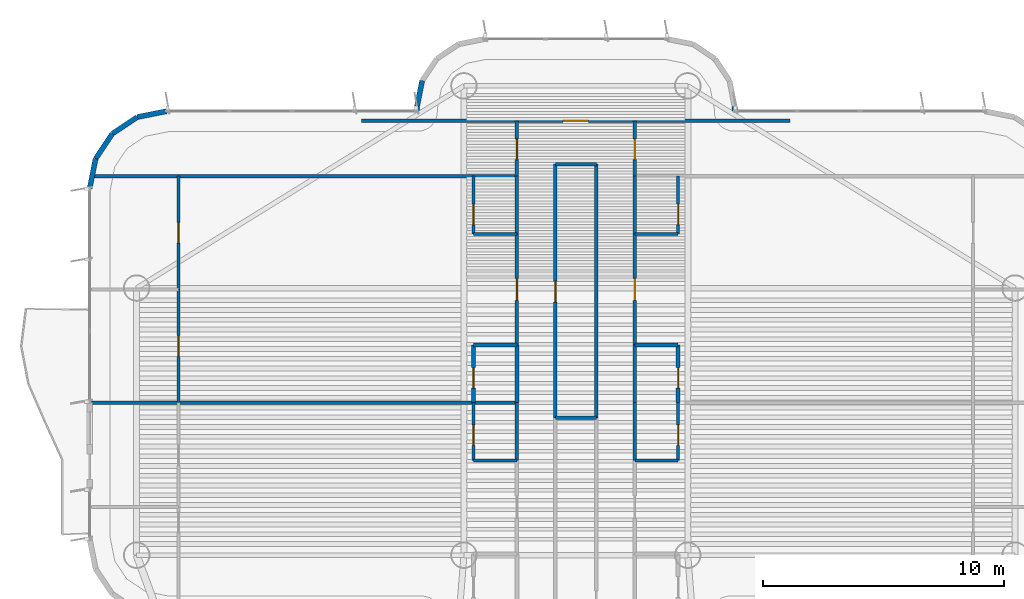
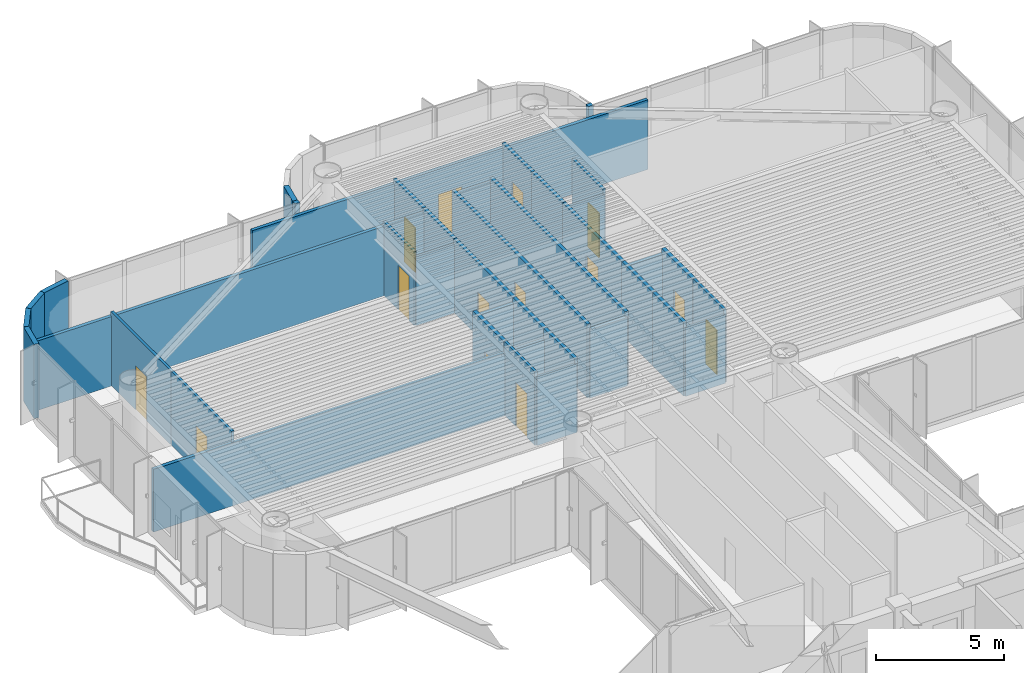
# One storey, part 11 of 15: 38 walls, 14 doors, 14 openings.
"""IFC4 building model written with IfcOpenShell, lengths in metres."""

from ifc_helpers import new_model, si_unit, direction, frame, frame_2d, origin, origin_2d, place, context, subcontext, project, spatial, rectangle, extrude, source, transform, mapped, material, layer, layer_set, type_object, element, fill, save


model = new_model("IFC4")

# Units and contexts
model_context = context("Model", 3, precision=1e-05, world=origin(), true_north=direction((0.0, 1.0)))
body_context = subcontext(model_context, "Body", "Model", "MODEL_VIEW")
ifc_project = project(units=[si_unit("LENGTHUNIT", "METRE"), si_unit("AREAUNIT", "SQUARE_METRE"), si_unit("VOLUMEUNIT", "CUBIC_METRE"), si_unit("PLANEANGLEUNIT", "RADIAN"), si_unit("MASSUNIT", "GRAM", prefix="KILO")], contexts=[model_context])

# Site, building, storey
site_placement = place(None, origin())
site = spatial("IfcSite", under=ifc_project, at=site_placement, CompositionType="ELEMENT")
building_placement = place(site_placement, origin())
building = spatial("IfcBuilding", under=site, at=building_placement, Name="Brelvock Crest Care Tower", CompositionType="ELEMENT")
storey_placement = place(building_placement, frame((0.0, 0.0, 156.419921875)))
storey = spatial("IfcBuildingStorey", under=building, at=storey_placement, Name="L39", CompositionType="ELEMENT", Elevation=156.419921875)

# Walls
ifc_material_1 = material(Name="Precast concrete N40 (40 MPa)", Category="concrete")
ifc_layer_1 = layer(ifc_material_1, 0.215087890625, Name="WL-EX2")
ifc_layer_set_1 = layer_set([ifc_layer_1], Name="Precast concrete N40 (40 MPa)")
wall_type_1 = type_object("IfcWallType", Name="WL-EX2", PredefinedType="SOLIDWALL", material=ifc_layer_set_1)
for number, where, z_axis, x_axis, name in (
    (1, (15.800048828125, 50.199951171875, 0.0), (0.0, 0.0, 1.0), (0.195138390419, 0.980775717779, 0.0), "L39 Rounded Corner Wall 18"),
    (2, (16.043701171875, 51.424560546875, 0.0), (0.0, 0.0, 1.0), (0.555557312883, 0.831478245117, 0.0), "L39 Rounded Corner Wall 19"),
    (3, (16.7373046875, 52.462646484375, 0.0), (0.0, 0.0, 1.0), (0.831387912822, 0.555692485475, 0.0), "L39 Rounded Corner Wall 20"),
    (4, (17.775390625, 53.156494140625, 0.0), (0.0, 0.0, 1.0), (0.980813122964, 0.194950295773, 0.0), "L39 Rounded Corner Wall 21"),
):
    element("IfcWall", number, at=place(storey_placement, frame(where, z_axis=z_axis, x_axis=x_axis)), inside=storey, type_object=wall_type_1, Name=name, PredefinedType="SOLIDWALL", context=body_context, shape_type="SweptSolid", body=[
        extrude(rectangle(XDim=1.24853515625, YDim=0.215087890625, at=frame_2d((0.624267578125, 0.0))), origin(), (0.0, 0.0, 1.0), 3.530029296875),
    ])
wall_1_placement = place(storey_placement, frame((29.39990234375, 53.39990234375, 0.0), z_axis=(0.0, 0.0, 1.0), x_axis=(0.0, 1.0, 0.0)))
element("IfcWall", 5, at=wall_1_placement, inside=storey, type_object=wall_type_1, Name="L39 Rounded Corner Wall 23", PredefinedType="SOLIDWALL", context=body_context, shape_type="SweptSolid", body=[
    extrude(rectangle(XDim=0.2001953125, YDim=0.215087890625, at=frame_2d((0.10009765625, 0.0))), origin(), (0.0, 0.0, 1.0), 3.530029296875),
])
wall_2_placement = place(storey_placement, frame((29.39990234375, 53.60009765625, 0.0), z_axis=(0.0, 0.0, 1.0), x_axis=(0.195127417394, 0.980777900945, 0.0)))
element("IfcWall", 6, at=wall_2_placement, inside=storey, type_object=wall_type_1, Name="L39 Rounded Corner Wall 24", PredefinedType="SOLIDWALL", context=body_context, shape_type="SweptSolid", body=[
    extrude(rectangle(XDim=1.09228515625, YDim=0.215087890625, at=frame_2d((0.546142578125, 0.0))), origin(), (0.0, 0.0, 1.0), 3.530029296875),
])
wall_3_placement = place(storey_placement, frame((42.60009765625, 53.60009765625, 0.0), z_axis=(0.0, 0.0, 1.0), x_axis=(0.0, -1.0, 0.0)))
element("IfcWall", 7, at=wall_3_placement, inside=storey, type_object=wall_type_1, Name="L39 Rounded Corner Wall 33", PredefinedType="SOLIDWALL", context=body_context, shape_type="SweptSolid", body=[
    extrude(rectangle(XDim=0.2001953125, YDim=0.215087890625, at=frame_2d((0.10009765625, 0.0))), origin(), (0.0, 0.0, 1.0), 3.530029296875),
])
ifc_material_2 = material(Name="Masonry Blockwork Acoustic Partition", Category="masonry")
ifc_layer_2 = layer(ifc_material_2, 0.14990234375, Name="WL-INT1")
ifc_layer_set_2 = layer_set([ifc_layer_2], Name="Masonry Blockwork Acoustic Partition")
wall_type_2 = type_object("IfcWallType", Name="WL-INT1", PredefinedType="PARTITIONING", material=ifc_layer_set_2)
wall_4_placement = place(storey_placement, frame((35.14990234375, 40.659912109375, 0.0), z_axis=(0.0, 0.0, 1.0), x_axis=(1.0, 0.0, 0.0)))
element("IfcWall", 8, at=wall_4_placement, inside=storey, type_object=wall_type_2, Name="L39 Interior Wall WL-BX-L39-ISKT-S", PredefinedType="PARTITIONING", context=body_context, shape_type="SweptSolid", body=[
    extrude(rectangle(XDim=1.7001953125, YDim=0.14990234375, at=frame_2d((0.85009765625, 0.0))), origin(), (0.0, 0.0, 1.0), 3.259033203125),
])
wall_5_placement = place(storey_placement, frame((15.8798828125, 41.2880859375, 0.0), z_axis=(0.0, 0.0, 1.0), x_axis=(1.0, 0.0, 0.0)))
element("IfcWall", 9, at=wall_5_placement, inside=storey, type_object=wall_type_2, Name="L39 Interior Wall WL-BX-L39-FL-WF1-N", PredefinedType="PARTITIONING", context=body_context, shape_type="SweptSolid", body=[
    extrude(rectangle(XDim=17.670166015625, YDim=0.14990234375, at=frame_2d((8.8349609375, 0.0))), origin(), (0.0, 0.0, 1.0), 2.982177734375),
])
wall_6_placement = place(storey_placement, frame((15.98095703125, 50.699951171875, 0.0), z_axis=(0.0, 0.0, 1.0), x_axis=(1.0, 0.0, 0.0)))
element("IfcWall", 10, at=wall_6_placement, inside=storey, type_object=wall_type_2, Name="L39 Interior Wall WL-BX-L39-FL-WF2-N", PredefinedType="PARTITIONING", context=body_context, shape_type="SweptSolid", body=[
    extrude(rectangle(XDim=17.569091796875, YDim=0.14990234375, at=frame_2d((8.78466796875, 0.0))), origin(), (0.0, 0.0, 1.0), 3.30810546875),
])
wall_7_placement = place(storey_placement, frame((35.14990234375, 51.199951171875, 0.0), z_axis=(0.0, 0.0, 1.0), x_axis=(1.0, 0.0, 0.0)))
element("IfcWall", 11, at=wall_7_placement, inside=storey, type_object=wall_type_2, Name="L39 Interior Wall WL-BX-L39-ISKT-N", PredefinedType="PARTITIONING", context=body_context, shape_type="SweptSolid", body=[
    extrude(rectangle(XDim=1.7001953125, YDim=0.14990234375, at=frame_2d((0.85009765625, 0.0))), origin(), (0.0, 0.0, 1.0), 3.30810546875),
])

# Wall, opening, door
wall_8_placement = place(storey_placement, frame((27.10009765625, 53.0, 0.0), z_axis=(0.0, 0.0, 1.0), x_axis=(1.0, 0.0, 0.0)))
wall_8 = element("IfcWall", 12, at=wall_8_placement, inside=storey, type_object=wall_type_2, Name="L39 Interior Wall WL-RM-L39-NHUB", PredefinedType="PARTITIONING", context=body_context, shape_type="SweptSolid", body=[
    extrude(rectangle(XDim=17.7998046875, YDim=0.14990234375, at=frame_2d((8.89990234375, 0.0))), origin(), (0.0, 0.0, 1.0), 3.30810546875),
])
opening_1_placement = place(wall_8_placement, frame((8.375, 0.0, 0.0)))
opening_1 = element("IfcOpeningElement", 13, at=opening_1_placement, cuts=wall_8, Name="Opening CLD-1", PredefinedType="OPENING", context=body_context, shape_type="SweptSolid", body=[
    extrude(rectangle(XDim=1.050048828125, YDim=2.10009765625, at=origin_2d()), frame((0.52490234375, 0.0849609375, 1.050048828125), z_axis=(0.0, -1.0, 0.0), x_axis=(1.0, 0.0, 0.0)), (0.0, 0.0, 1.0), 0.169921875),
])
ifc_material_3 = material(Name="Engineered Hardwood Timber", Category="wood")
door_type_1 = type_object("IfcDoorType", Name="DR-CLN1", OperationType="NOTDEFINED", PredefinedType="DOOR", material=ifc_material_3)
shared_shape_1 = source(origin(), body_context, "Body", "SweptSolid", [
    extrude(rectangle(XDim=1.050048828125, YDim=2.10009765625, at=origin_2d()), frame((0.52490234375, 0.02490234375, 1.050048828125), z_axis=(0.0, -1.0, 0.0), x_axis=(1.0, 0.0, 0.0)), (0.0, 0.0, 1.0), 0.050048828125),
])
door_1_placement = place(opening_1_placement, origin())
door_1 = element("IfcDoor", 14, at=door_1_placement, inside=storey, type_object=door_type_1, Name="L39 North Crest Conservatory Lounge Door NHUB", OperationType="SINGLE_SWING_LEFT", OverallHeight=2.10009765625, OverallWidth=1.050048828125, PredefinedType="DOOR", context=body_context, shape_type="MappedRepresentation", body=[
    mapped(shared_shape_1, transform((0.0, 0.0, 0.0), x_axis=(1.0, 0.0, 0.0), y_axis=(0.0, 1.0, 0.0), z_axis=(0.0, 0.0, 1.0), scale=1.0)),
])
fill(opening_1, door_1)

# Wall
wall_9_placement = place(storey_placement, frame((33.550048828125, 38.887939453125, 0.0), z_axis=(0.0, 0.0, 1.0), x_axis=(0.0, 1.0, 0.0)))
element("IfcWall", 15, at=wall_9_placement, inside=storey, type_object=wall_type_2, Name="L39 Interior Wall WL-UCK-L39-WF1", PredefinedType="PARTITIONING", context=body_context, shape_type="SweptSolid", body=[
    extrude(rectangle(XDim=2.400146484375, YDim=0.14990234375, at=frame_2d((1.2001953125, 0.0))), origin(), (0.0, 0.0, 1.0), 3.5),
])

# Wall, opening, door
wall_10_placement = place(storey_placement, frame((33.550048828125, 43.68798828125, 0.0), z_axis=(0.0, 0.0, 1.0), x_axis=(0.0, 1.0, 0.0)))
wall_10 = element("IfcWall", 16, at=wall_10_placement, inside=storey, type_object=wall_type_2, Name="L39 Interior Wall WL-UENT-L39-WF2", PredefinedType="PARTITIONING", context=body_context, shape_type="SweptSolid", body=[
    extrude(rectangle(XDim=4.612060546875, YDim=0.14990234375, at=frame_2d((2.30615234375, 0.0))), origin(), (0.0, 0.0, 1.0), 3.5),
])
opening_2_placement = place(wall_10_placement, frame((1.845947265625, 0.0, 0.0)))
opening_2 = element("IfcOpeningElement", 17, at=opening_2_placement, cuts=wall_10, Name="Opening AD-1", PredefinedType="OPENING", context=body_context, shape_type="SweptSolid", body=[
    extrude(rectangle(XDim=0.919921875, YDim=2.10009765625, at=origin_2d()), frame((0.4599609375, 0.0849609375, 1.050048828125), z_axis=(0.0, -1.0, 0.0), x_axis=(1.0, 0.0, 0.0)), (0.0, 0.0, 1.0), 0.169921875),
])
door_type_2 = type_object("IfcDoorType", Name="DR-APT1", OperationType="NOTDEFINED", PredefinedType="DOOR", material=ifc_material_3)
shared_shape_2 = source(origin(), body_context, "Body", "SweptSolid", [
    extrude(rectangle(XDim=0.919921875, YDim=2.10009765625, at=origin_2d()), frame((0.4599609375, 0.02490234375, 1.050048828125), z_axis=(0.0, -1.0, 0.0), x_axis=(1.0, 0.0, 0.0)), (0.0, 0.0, 1.0), 0.050048828125),
])
door_2_placement = place(opening_2_placement, origin())
door_2 = element("IfcDoor", 18, at=door_2_placement, inside=storey, type_object=door_type_2, Name="L39 Apartment Entrance WF2", OperationType="SINGLE_SWING_LEFT", OverallHeight=2.10009765625, OverallWidth=0.919921875, PredefinedType="DOOR", context=body_context, shape_type="MappedRepresentation", body=[
    mapped(shared_shape_2, transform((0.0, 0.0, 0.0), x_axis=(1.0, 0.0, 0.0), y_axis=(0.0, 1.0, 0.0), z_axis=(0.0, 0.0, 1.0), scale=1.0)),
])
fill(opening_2, door_2)

# Wall
wall_11_placement = place(storey_placement, frame((33.550048828125, 48.300048828125, 0.0), z_axis=(0.0, 0.0, 1.0), x_axis=(0.0, 1.0, 0.0)))
element("IfcWall", 19, at=wall_11_placement, inside=storey, type_object=wall_type_2, Name="L39 Interior Wall WL-UCK-L39-WF2", PredefinedType="PARTITIONING", context=body_context, shape_type="SweptSolid", body=[
    extrude(rectangle(XDim=2.39990234375, YDim=0.14990234375, at=frame_2d((1.199951171875, 0.0))), origin(), (0.0, 0.0, 1.0), 3.5),
])

# Wall, opening, door
wall_12_placement = place(storey_placement, frame((33.550048828125, 50.699951171875, 0.0), z_axis=(0.0, 0.0, 1.0), x_axis=(0.0, 1.0, 0.0)))
wall_12 = element("IfcWall", 20, at=wall_12_placement, inside=storey, type_object=wall_type_2, Name="L39 Interior Wall WL-RM-L39-NALW", PredefinedType="PARTITIONING", context=body_context, shape_type="SweptSolid", body=[
    extrude(rectangle(XDim=2.300048828125, YDim=0.14990234375, at=frame_2d((1.14990234375, 0.0))), origin(), (0.0, 0.0, 1.0), 3.5),
])
opening_3_placement = place(wall_12_placement, frame((0.68994140625, 0.0, 0.0)))
opening_3 = element("IfcOpeningElement", 21, at=opening_3_placement, cuts=wall_12, Name="Opening ID-1", PredefinedType="OPENING", context=body_context, shape_type="SweptSolid", body=[
    extrude(rectangle(XDim=0.860107421875, YDim=2.10009765625, at=origin_2d()), frame((0.43017578125, 0.0849609375, 1.050048828125), z_axis=(0.0, -1.0, 0.0), x_axis=(1.0, 0.0, 0.0)), (0.0, 0.0, 1.0), 0.169921875),
])
door_type_3 = type_object("IfcDoorType", Name="DR-INT1", OperationType="NOTDEFINED", PredefinedType="DOOR", material=ifc_material_3)
shared_shape_3 = source(origin(), body_context, "Body", "SweptSolid", [
    extrude(rectangle(XDim=0.860107421875, YDim=2.10009765625, at=origin_2d()), frame((0.43017578125, 0.02490234375, 1.050048828125), z_axis=(0.0, -1.0, 0.0), x_axis=(1.0, 0.0, 0.0)), (0.0, 0.0, 1.0), 0.050048828125),
])
door_3_placement = place(opening_3_placement, origin())
door_3 = element("IfcDoor", 22, at=door_3_placement, inside=storey, type_object=door_type_3, Name="L39 North West Sun Alcove Door NALW", OperationType="SINGLE_SWING_LEFT", OverallHeight=2.10009765625, OverallWidth=0.860107421875, PredefinedType="DOOR", context=body_context, shape_type="MappedRepresentation", body=[
    mapped(shared_shape_3, transform((0.0, 0.0, 0.0), x_axis=(1.0, 0.0, 0.0), y_axis=(0.0, 1.0, 0.0), z_axis=(0.0, 0.0, 1.0), scale=1.0)),
])
fill(opening_3, door_3)

wall_13_placement = place(storey_placement, frame((35.14990234375, 40.659912109375, 0.0), z_axis=(0.0, 0.0, 1.0), x_axis=(0.0, 1.0, 0.0)))
wall_13 = element("IfcWall", 23, at=wall_13_placement, inside=storey, type_object=wall_type_2, Name="L39 Interior Wall WL-RM-L39-ISKT", PredefinedType="PARTITIONING", context=body_context, shape_type="SweptSolid", body=[
    extrude(rectangle(XDim=10.5400390625, YDim=0.14990234375, at=frame_2d((5.27001953125, 0.0))), origin(), (0.0, 0.0, 1.0), 3.5),
])
opening_4_placement = place(wall_13_placement, frame((4.81005859375, 0.0, 0.0)))
opening_4 = element("IfcOpeningElement", 24, at=opening_4_placement, cuts=wall_13, Name="Opening ID-1", PredefinedType="OPENING", context=body_context, shape_type="SweptSolid", body=[
    extrude(rectangle(XDim=0.860107421875, YDim=2.10009765625, at=origin_2d()), frame((0.43017578125, 0.0849609375, 1.050048828125), z_axis=(0.0, -1.0, 0.0), x_axis=(1.0, 0.0, 0.0)), (0.0, 0.0, 1.0), 0.169921875),
])
door_4_placement = place(opening_4_placement, origin())
door_4 = element("IfcDoor", 25, at=door_4_placement, inside=storey, type_object=door_type_3, Name="L39 Communal Tea and Nutrition Pantry Door ISKT", OperationType="SINGLE_SWING_LEFT", OverallHeight=2.10009765625, OverallWidth=0.860107421875, PredefinedType="DOOR", context=body_context, shape_type="MappedRepresentation", body=[
    mapped(shared_shape_3, transform((0.0, 0.0, 0.0), x_axis=(1.0, 0.0, 0.0), y_axis=(0.0, 1.0, 0.0), z_axis=(0.0, 0.0, 1.0), scale=1.0)),
])
fill(opening_4, door_4)

# Walls
wall_14_placement = place(storey_placement, frame((36.85009765625, 40.659912109375, 0.0), z_axis=(0.0, 0.0, 1.0), x_axis=(0.0, 1.0, 0.0)))
element("IfcWall", 26, at=wall_14_placement, inside=storey, type_object=wall_type_2, Name="L39 Interior Wall WL-BX-L39-ISKT-E", PredefinedType="PARTITIONING", context=body_context, shape_type="SweptSolid", body=[
    extrude(rectangle(XDim=10.5400390625, YDim=0.14990234375, at=frame_2d((5.27001953125, 0.0))), origin(), (0.0, 0.0, 1.0), 3.5),
])
wall_15_placement = place(storey_placement, frame((38.449951171875, 38.887939453125, 0.0), z_axis=(0.0, 0.0, 1.0), x_axis=(0.0, 1.0, 0.0)))
element("IfcWall", 27, at=wall_15_placement, inside=storey, type_object=wall_type_2, Name="L39 Interior Wall WL-UCK-L39-EF1", PredefinedType="PARTITIONING", context=body_context, shape_type="SweptSolid", body=[
    extrude(rectangle(XDim=2.400146484375, YDim=0.14990234375, at=frame_2d((1.2001953125, 0.0))), origin(), (0.0, 0.0, 1.0), 3.5),
])

# Wall, opening, door
wall_16_placement = place(storey_placement, frame((38.449951171875, 43.68798828125, 0.0), z_axis=(0.0, 0.0, 1.0), x_axis=(0.0, 1.0, 0.0)))
wall_16 = element("IfcWall", 28, at=wall_16_placement, inside=storey, type_object=wall_type_2, Name="L39 Interior Wall WL-UENT-L39-EF2", PredefinedType="PARTITIONING", context=body_context, shape_type="SweptSolid", body=[
    extrude(rectangle(XDim=4.612060546875, YDim=0.14990234375, at=frame_2d((2.30615234375, 0.0))), origin(), (0.0, 0.0, 1.0), 3.5),
])
opening_5_placement = place(wall_16_placement, frame((1.845947265625, 0.0, 0.0)))
opening_5 = element("IfcOpeningElement", 29, at=opening_5_placement, cuts=wall_16, Name="Opening AD-1", PredefinedType="OPENING", context=body_context, shape_type="SweptSolid", body=[
    extrude(rectangle(XDim=0.919921875, YDim=2.10009765625, at=origin_2d()), frame((0.4599609375, 0.0849609375, 1.050048828125), z_axis=(0.0, -1.0, 0.0), x_axis=(1.0, 0.0, 0.0)), (0.0, 0.0, 1.0), 0.169921875),
])
door_5_placement = place(opening_5_placement, origin())
door_5 = element("IfcDoor", 30, at=door_5_placement, inside=storey, type_object=door_type_2, Name="L39 Apartment Entrance EF2", OperationType="SINGLE_SWING_LEFT", OverallHeight=2.10009765625, OverallWidth=0.919921875, PredefinedType="DOOR", context=body_context, shape_type="MappedRepresentation", body=[
    mapped(shared_shape_2, transform((0.0, 0.0, 0.0), x_axis=(1.0, 0.0, 0.0), y_axis=(0.0, 1.0, 0.0), z_axis=(0.0, 0.0, 1.0), scale=1.0)),
])
fill(opening_5, door_5)

# Wall
wall_17_placement = place(storey_placement, frame((38.449951171875, 48.300048828125, 0.0), z_axis=(0.0, 0.0, 1.0), x_axis=(0.0, 1.0, 0.0)))
element("IfcWall", 31, at=wall_17_placement, inside=storey, type_object=wall_type_2, Name="L39 Interior Wall WL-UCK-L39-EF2", PredefinedType="PARTITIONING", context=body_context, shape_type="SweptSolid", body=[
    extrude(rectangle(XDim=2.39990234375, YDim=0.14990234375, at=frame_2d((1.199951171875, 0.0))), origin(), (0.0, 0.0, 1.0), 3.5),
])

# Wall, opening, door
wall_18_placement = place(storey_placement, frame((38.449951171875, 50.699951171875, 0.0), z_axis=(0.0, 0.0, 1.0), x_axis=(0.0, 1.0, 0.0)))
wall_18 = element("IfcWall", 32, at=wall_18_placement, inside=storey, type_object=wall_type_2, Name="L39 Interior Wall WL-RM-L39-NALE", PredefinedType="PARTITIONING", context=body_context, shape_type="SweptSolid", body=[
    extrude(rectangle(XDim=2.300048828125, YDim=0.14990234375, at=frame_2d((1.14990234375, 0.0))), origin(), (0.0, 0.0, 1.0), 3.5),
])
opening_6_placement = place(wall_18_placement, frame((0.68994140625, 0.0, 0.0)))
opening_6 = element("IfcOpeningElement", 33, at=opening_6_placement, cuts=wall_18, Name="Opening ID-1", PredefinedType="OPENING", context=body_context, shape_type="SweptSolid", body=[
    extrude(rectangle(XDim=0.860107421875, YDim=2.10009765625, at=origin_2d()), frame((0.43017578125, 0.0849609375, 1.050048828125), z_axis=(0.0, -1.0, 0.0), x_axis=(1.0, 0.0, 0.0)), (0.0, 0.0, 1.0), 0.169921875),
])
door_6_placement = place(opening_6_placement, origin())
door_6 = element("IfcDoor", 34, at=door_6_placement, inside=storey, type_object=door_type_3, Name="L39 North East Tea Alcove Door NALE", OperationType="SINGLE_SWING_LEFT", OverallHeight=2.10009765625, OverallWidth=0.860107421875, PredefinedType="DOOR", context=body_context, shape_type="MappedRepresentation", body=[
    mapped(shared_shape_3, transform((0.0, 0.0, 0.0), x_axis=(1.0, 0.0, 0.0), y_axis=(0.0, 1.0, 0.0), z_axis=(0.0, 0.0, 1.0), scale=1.0)),
])
fill(opening_6, door_6)

# Walls
ifc_material_4 = material(Name="Gypsum Plasterboard Partition", Category="gypsum")
ifc_layer_3 = layer(ifc_material_4, 0.1201171875, Name="WL-INT2")
ifc_layer_set_3 = layer_set([ifc_layer_3], Name="Gypsum Plasterboard Partition")
wall_type_3 = type_object("IfcWallType", Name="WL-INT2", PredefinedType="PARTITIONING", material=ifc_layer_set_3)
for number, where, z_axis, x_axis, name in (
    (35, (31.75, 38.887939453125, 0.0), (0.0, 0.0, 1.0), (1.0, 0.0, 0.0), "L39 Interior Wall WL-UKIT2-L39-WF1"),
    (36, (38.449951171875, 38.887939453125, 0.0), (0.0, 0.0, 1.0), (1.0, 0.0, 0.0), "L39 Interior Wall WL-UKIT2-L39-EF1"),
    (37, (31.75, 48.300048828125, 0.0), (0.0, 0.0, 1.0), (1.0, 0.0, 0.0), "L39 Interior Wall WL-UKIT2-L39-WF2"),
    (38, (38.449951171875, 48.300048828125, 0.0), (0.0, 0.0, 1.0), (1.0, 0.0, 0.0), "L39 Interior Wall WL-UKIT2-L39-EF2"),
):
    element("IfcWall", number, at=place(storey_placement, frame(where, z_axis=z_axis, x_axis=x_axis)), inside=storey, type_object=wall_type_3, Name=name, PredefinedType="PARTITIONING", context=body_context, shape_type="SweptSolid", body=[
        extrude(rectangle(XDim=1.800048828125, YDim=0.1201171875, at=frame_2d((0.89990234375, 0.0))), origin(), (0.0, 0.0, 1.0), 3.259033203125),
    ])

# Wall, opening, door
wall_19_placement = place(storey_placement, frame((19.489990234375, 41.2880859375, 0.0), z_axis=(0.0, 0.0, 1.0), x_axis=(0.0, 1.0, 0.0)))
wall_19 = element("IfcWall", 39, at=wall_19_placement, inside=storey, type_object=wall_type_3, Name="L39 Interior Wall WL-UBD1-L39-WF2", PredefinedType="PARTITIONING", context=body_context, shape_type="SweptSolid", body=[
    extrude(rectangle(XDim=4.705810546875, YDim=0.1201171875, at=frame_2d((2.35302734375, 0.0))), origin(), (0.0, 0.0, 1.0), 3.5),
])
opening_7_placement = place(wall_19_placement, frame((1.923095703125, 0.0, 0.0)))
opening_7 = element("IfcOpeningElement", 40, at=opening_7_placement, cuts=wall_19, Name="Opening ID-1", PredefinedType="OPENING", context=body_context, shape_type="SweptSolid", body=[
    extrude(rectangle(XDim=0.860107421875, YDim=2.10009765625, at=origin_2d()), frame((0.43017578125, 0.070068359375, 1.050048828125), z_axis=(0.0, -1.0, 0.0), x_axis=(1.0, 0.0, 0.0)), (0.0, 0.0, 1.0), 0.14013671875),
])
door_7_placement = place(opening_7_placement, origin())
door_7 = element("IfcDoor", 41, at=door_7_placement, inside=storey, type_object=door_type_3, Name="L39 Primary Bedroom Door WF2", OperationType="SINGLE_SWING_RIGHT", OverallHeight=2.10009765625, OverallWidth=0.860107421875, PredefinedType="DOOR", context=body_context, shape_type="MappedRepresentation", body=[
    mapped(shared_shape_3, transform((0.0, 0.0, 0.0), x_axis=(1.0, 0.0, 0.0), y_axis=(0.0, 1.0, 0.0), z_axis=(0.0, 0.0, 1.0), scale=1.0)),
])
fill(opening_7, door_7)

wall_20_placement = place(storey_placement, frame((19.489990234375, 45.993896484375, 0.0), z_axis=(0.0, 0.0, 1.0), x_axis=(0.0, 1.0, 0.0)))
wall_20 = element("IfcWall", 42, at=wall_20_placement, inside=storey, type_object=wall_type_3, Name="L39 Interior Wall WL-UBD2-L39-WF2", PredefinedType="PARTITIONING", context=body_context, shape_type="SweptSolid", body=[
    extrude(rectangle(XDim=4.7060546875, YDim=0.1201171875, at=frame_2d((2.35302734375, 0.0))), origin(), (0.0, 0.0, 1.0), 3.5),
])
opening_8_placement = place(wall_20_placement, frame((1.923095703125, 0.0, 0.0)))
opening_8 = element("IfcOpeningElement", 43, at=opening_8_placement, cuts=wall_20, Name="Opening ID-1", PredefinedType="OPENING", context=body_context, shape_type="SweptSolid", body=[
    extrude(rectangle(XDim=0.860107421875, YDim=2.10009765625, at=origin_2d()), frame((0.43017578125, 0.070068359375, 1.050048828125), z_axis=(0.0, -1.0, 0.0), x_axis=(1.0, 0.0, 0.0)), (0.0, 0.0, 1.0), 0.14013671875),
])
door_8_placement = place(opening_8_placement, origin())
door_8 = element("IfcDoor", 44, at=door_8_placement, inside=storey, type_object=door_type_3, Name="L39 Second Room Door WF2", OperationType="SINGLE_SWING_LEFT", OverallHeight=2.10009765625, OverallWidth=0.860107421875, PredefinedType="DOOR", context=body_context, shape_type="MappedRepresentation", body=[
    mapped(shared_shape_3, transform((0.0, 0.0, 0.0), x_axis=(1.0, 0.0, 0.0), y_axis=(0.0, 1.0, 0.0), z_axis=(0.0, 0.0, 1.0), scale=1.0)),
])
fill(opening_8, door_8)

wall_21_placement = place(storey_placement, frame((31.75, 38.887939453125, 0.0), z_axis=(0.0, 0.0, 1.0), x_axis=(0.0, 1.0, 0.0)))
wall_21 = element("IfcWall", 45, at=wall_21_placement, inside=storey, type_object=wall_type_3, Name="L39 Interior Wall WL-UKIT1-L39-WF1", PredefinedType="PARTITIONING", context=body_context, shape_type="SweptSolid", body=[
    extrude(rectangle(XDim=2.400146484375, YDim=0.1201171875, at=frame_2d((1.2001953125, 0.0))), origin(), (0.0, 0.0, 1.0), 3.5),
])
opening_9_placement = place(wall_21_placement, frame((0.6201171875, 0.0, 0.0)))
opening_9 = element("IfcOpeningElement", 46, at=opening_9_placement, cuts=wall_21, Name="Opening ID-1", PredefinedType="OPENING", context=body_context, shape_type="SweptSolid", body=[
    extrude(rectangle(XDim=0.860107421875, YDim=2.10009765625, at=origin_2d()), frame((0.43017578125, 0.070068359375, 1.050048828125), z_axis=(0.0, -1.0, 0.0), x_axis=(1.0, 0.0, 0.0)), (0.0, 0.0, 1.0), 0.14013671875),
])
door_9_placement = place(opening_9_placement, origin())
door_9 = element("IfcDoor", 47, at=door_9_placement, inside=storey, type_object=door_type_3, Name="L39 Kitchen Door WF1", OperationType="SINGLE_SWING_LEFT", OverallHeight=2.10009765625, OverallWidth=0.860107421875, PredefinedType="DOOR", context=body_context, shape_type="MappedRepresentation", body=[
    mapped(shared_shape_3, transform((0.0, 0.0, 0.0), x_axis=(1.0, 0.0, 0.0), y_axis=(0.0, 1.0, 0.0), z_axis=(0.0, 0.0, 1.0), scale=1.0)),
])
fill(opening_9, door_9)

wall_22_placement = place(storey_placement, frame((31.75, 48.300048828125, 0.0), z_axis=(0.0, 0.0, 1.0), x_axis=(0.0, 1.0, 0.0)))
wall_22 = element("IfcWall", 48, at=wall_22_placement, inside=storey, type_object=wall_type_3, Name="L39 Interior Wall WL-UKIT1-L39-WF2", PredefinedType="PARTITIONING", context=body_context, shape_type="SweptSolid", body=[
    extrude(rectangle(XDim=2.39990234375, YDim=0.1201171875, at=frame_2d((1.199951171875, 0.0))), origin(), (0.0, 0.0, 1.0), 3.5),
])
opening_10_placement = place(wall_22_placement, frame((0.3798828125, 0.0, 0.0)))
opening_10 = element("IfcOpeningElement", 49, at=opening_10_placement, cuts=wall_22, Name="Opening ID-1", PredefinedType="OPENING", context=body_context, shape_type="SweptSolid", body=[
    extrude(rectangle(XDim=0.860107421875, YDim=2.10009765625, at=origin_2d()), frame((0.43017578125, 0.070068359375, 1.050048828125), z_axis=(0.0, -1.0, 0.0), x_axis=(1.0, 0.0, 0.0)), (0.0, 0.0, 1.0), 0.14013671875),
])
door_10_placement = place(opening_10_placement, origin())
door_10 = element("IfcDoor", 50, at=door_10_placement, inside=storey, type_object=door_type_3, Name="L39 Kitchen Door WF2", OperationType="SINGLE_SWING_LEFT", OverallHeight=2.10009765625, OverallWidth=0.860107421875, PredefinedType="DOOR", context=body_context, shape_type="MappedRepresentation", body=[
    mapped(shared_shape_3, transform((0.0, 0.0, 0.0), x_axis=(1.0, 0.0, 0.0), y_axis=(0.0, 1.0, 0.0), z_axis=(0.0, 0.0, 1.0), scale=1.0)),
])
fill(opening_10, door_10)

wall_23_placement = place(storey_placement, frame((40.25, 38.887939453125, 0.0), z_axis=(0.0, 0.0, 1.0), x_axis=(0.0, 1.0, 0.0)))
wall_23 = element("IfcWall", 51, at=wall_23_placement, inside=storey, type_object=wall_type_3, Name="L39 Interior Wall WL-UKIT1-L39-EF1", PredefinedType="PARTITIONING", context=body_context, shape_type="SweptSolid", body=[
    extrude(rectangle(XDim=2.400146484375, YDim=0.1201171875, at=frame_2d((1.2001953125, 0.0))), origin(), (0.0, 0.0, 1.0), 3.5),
])
opening_11_placement = place(wall_23_placement, frame((0.6201171875, 0.0, 0.0)))
opening_11 = element("IfcOpeningElement", 52, at=opening_11_placement, cuts=wall_23, Name="Opening ID-1", PredefinedType="OPENING", context=body_context, shape_type="SweptSolid", body=[
    extrude(rectangle(XDim=0.860107421875, YDim=2.10009765625, at=origin_2d()), frame((0.43017578125, 0.070068359375, 1.050048828125), z_axis=(0.0, -1.0, 0.0), x_axis=(1.0, 0.0, 0.0)), (0.0, 0.0, 1.0), 0.14013671875),
])
door_11_placement = place(opening_11_placement, origin())
door_11 = element("IfcDoor", 53, at=door_11_placement, inside=storey, type_object=door_type_3, Name="L39 Kitchen Door EF1", OperationType="SINGLE_SWING_RIGHT", OverallHeight=2.10009765625, OverallWidth=0.860107421875, PredefinedType="DOOR", context=body_context, shape_type="MappedRepresentation", body=[
    mapped(shared_shape_3, transform((0.0, 0.0, 0.0), x_axis=(1.0, 0.0, 0.0), y_axis=(0.0, 1.0, 0.0), z_axis=(0.0, 0.0, 1.0), scale=1.0)),
])
fill(opening_11, door_11)

wall_24_placement = place(storey_placement, frame((40.25, 48.300048828125, 0.0), z_axis=(0.0, 0.0, 1.0), x_axis=(0.0, 1.0, 0.0)))
wall_24 = element("IfcWall", 54, at=wall_24_placement, inside=storey, type_object=wall_type_3, Name="L39 Interior Wall WL-UKIT1-L39-EF2", PredefinedType="PARTITIONING", context=body_context, shape_type="SweptSolid", body=[
    extrude(rectangle(XDim=2.39990234375, YDim=0.1201171875, at=frame_2d((1.199951171875, 0.0))), origin(), (0.0, 0.0, 1.0), 3.5),
])
opening_12_placement = place(wall_24_placement, frame((0.3798828125, 0.0, 0.0)))
opening_12 = element("IfcOpeningElement", 55, at=opening_12_placement, cuts=wall_24, Name="Opening ID-1", PredefinedType="OPENING", context=body_context, shape_type="SweptSolid", body=[
    extrude(rectangle(XDim=0.860107421875, YDim=2.10009765625, at=origin_2d()), frame((0.43017578125, 0.070068359375, 1.050048828125), z_axis=(0.0, -1.0, 0.0), x_axis=(1.0, 0.0, 0.0)), (0.0, 0.0, 1.0), 0.14013671875),
])
door_12_placement = place(opening_12_placement, origin())
door_12 = element("IfcDoor", 56, at=door_12_placement, inside=storey, type_object=door_type_3, Name="L39 Kitchen Door EF2", OperationType="SINGLE_SWING_RIGHT", OverallHeight=2.10009765625, OverallWidth=0.860107421875, PredefinedType="DOOR", context=body_context, shape_type="MappedRepresentation", body=[
    mapped(shared_shape_3, transform((0.0, 0.0, 0.0), x_axis=(1.0, 0.0, 0.0), y_axis=(0.0, 1.0, 0.0), z_axis=(0.0, 0.0, 1.0), scale=1.0)),
])
fill(opening_12, door_12)

# Walls
ifc_layer_4 = layer(ifc_material_4, 0.159912109375, Name="WL-PLM1")
ifc_layer_set_4 = layer_set([ifc_layer_4], Name="Gypsum Plasterboard Partition")
wall_type_4 = type_object("IfcWallType", Name="WL-PLM1", PredefinedType="PLUMBINGWALL", material=ifc_layer_set_4)
for number, where, z_axis, x_axis, name in (
    (57, (31.75, 43.68798828125, 0.0), (0.0, 0.0, 1.0), (1.0, 0.0, 0.0), "L39 Interior Wall WL-UBTH2-L39-WF2"),
    (58, (38.449951171875, 43.68798828125, 0.0), (0.0, 0.0, 1.0), (1.0, 0.0, 0.0), "L39 Interior Wall WL-UBTH2-L39-EF2"),
):
    element("IfcWall", number, at=place(storey_placement, frame(where, z_axis=z_axis, x_axis=x_axis)), inside=storey, type_object=wall_type_4, Name=name, PredefinedType="PLUMBINGWALL", context=body_context, shape_type="SweptSolid", body=[
        extrude(rectangle(XDim=1.800048828125, YDim=0.159912109375, at=frame_2d((0.89990234375, 0.0))), origin(), (0.0, 0.0, 1.0), 3.259033203125),
    ])

# Wall, opening, door
wall_25_placement = place(storey_placement, frame((31.75, 41.2880859375, 0.0), z_axis=(0.0, 0.0, 1.0), x_axis=(0.0, 1.0, 0.0)))
wall_25 = element("IfcWall", 59, at=wall_25_placement, inside=storey, type_object=wall_type_4, Name="L39 Interior Wall WL-UBTH1-L39-WF2", PredefinedType="PLUMBINGWALL", context=body_context, shape_type="SweptSolid", body=[
    extrude(rectangle(XDim=2.39990234375, YDim=0.159912109375, at=frame_2d((1.199951171875, 0.0))), origin(), (0.0, 0.0, 1.0), 3.5),
])
opening_13_placement = place(wall_25_placement, frame((0.60009765625, 0.0, 0.0)))
opening_13 = element("IfcOpeningElement", 60, at=opening_13_placement, cuts=wall_25, Name="Opening WD-1", PredefinedType="OPENING", context=body_context, shape_type="SweptSolid", body=[
    extrude(rectangle(XDim=0.860107421875, YDim=2.10009765625, at=origin_2d()), frame((0.43017578125, 0.08984375, 1.050048828125), z_axis=(0.0, -1.0, 0.0), x_axis=(1.0, 0.0, 0.0)), (0.0, 0.0, 1.0), 0.179931640625),
])
door_type_4 = type_object("IfcDoorType", Name="DR-WC1", OperationType="NOTDEFINED", PredefinedType="DOOR", material=ifc_material_3)
shared_shape_4 = source(origin(), body_context, "Body", "SweptSolid", [
    extrude(rectangle(XDim=0.860107421875, YDim=2.10009765625, at=origin_2d()), frame((0.43017578125, 0.02490234375, 1.050048828125), z_axis=(0.0, -1.0, 0.0), x_axis=(1.0, 0.0, 0.0)), (0.0, 0.0, 1.0), 0.050048828125),
])
door_13_placement = place(opening_13_placement, origin())
door_13 = element("IfcDoor", 61, at=door_13_placement, inside=storey, type_object=door_type_4, Name="L39 Bathroom Door WF2", OperationType="SINGLE_SWING_LEFT", OverallHeight=2.10009765625, OverallWidth=0.860107421875, PredefinedType="DOOR", context=body_context, shape_type="MappedRepresentation", body=[
    mapped(shared_shape_4, transform((0.0, 0.0, 0.0), x_axis=(1.0, 0.0, 0.0), y_axis=(0.0, 1.0, 0.0), z_axis=(0.0, 0.0, 1.0), scale=1.0)),
])
fill(opening_13, door_13)

# Walls
for number, where, z_axis, x_axis, name in (
    (62, (33.550048828125, 41.2880859375, 0.0), (0.0, 0.0, 1.0), (0.0, 1.0, 0.0), "L39 Interior Wall WL-UCB-L39-WF2"),
    (63, (38.449951171875, 41.2880859375, 0.0), (0.0, 0.0, 1.0), (0.0, 1.0, 0.0), "L39 Interior Wall WL-UCB-L39-EF2"),
):
    element("IfcWall", number, at=place(storey_placement, frame(where, z_axis=z_axis, x_axis=x_axis)), inside=storey, type_object=wall_type_4, Name=name, PredefinedType="PLUMBINGWALL", context=body_context, shape_type="SweptSolid", body=[
        extrude(rectangle(XDim=2.39990234375, YDim=0.159912109375, at=frame_2d((1.199951171875, 0.0))), origin(), (0.0, 0.0, 1.0), 3.5),
    ])

# Wall, opening, door
wall_26_placement = place(storey_placement, frame((40.25, 41.2880859375, 0.0), z_axis=(0.0, 0.0, 1.0), x_axis=(0.0, 1.0, 0.0)))
wall_26 = element("IfcWall", 64, at=wall_26_placement, inside=storey, type_object=wall_type_4, Name="L39 Interior Wall WL-UBTH1-L39-EF2", PredefinedType="PLUMBINGWALL", context=body_context, shape_type="SweptSolid", body=[
    extrude(rectangle(XDim=2.39990234375, YDim=0.159912109375, at=frame_2d((1.199951171875, 0.0))), origin(), (0.0, 0.0, 1.0), 3.5),
])
opening_14_placement = place(wall_26_placement, frame((0.60009765625, 0.0, 0.0)))
opening_14 = element("IfcOpeningElement", 65, at=opening_14_placement, cuts=wall_26, Name="Opening WD-1", PredefinedType="OPENING", context=body_context, shape_type="SweptSolid", body=[
    extrude(rectangle(XDim=0.860107421875, YDim=2.10009765625, at=origin_2d()), frame((0.43017578125, 0.08984375, 1.050048828125), z_axis=(0.0, -1.0, 0.0), x_axis=(1.0, 0.0, 0.0)), (0.0, 0.0, 1.0), 0.179931640625),
])
door_14_placement = place(opening_14_placement, origin())
door_14 = element("IfcDoor", 66, at=door_14_placement, inside=storey, type_object=door_type_4, Name="L39 Bathroom Door EF2", OperationType="SINGLE_SWING_LEFT", OverallHeight=2.10009765625, OverallWidth=0.860107421875, PredefinedType="DOOR", context=body_context, shape_type="MappedRepresentation", body=[
    mapped(shared_shape_4, transform((0.0, 0.0, 0.0), x_axis=(1.0, 0.0, 0.0), y_axis=(0.0, 1.0, 0.0), z_axis=(0.0, 0.0, 1.0), scale=1.0)),
])
fill(opening_14, door_14)

save(model, "model.ifc")
